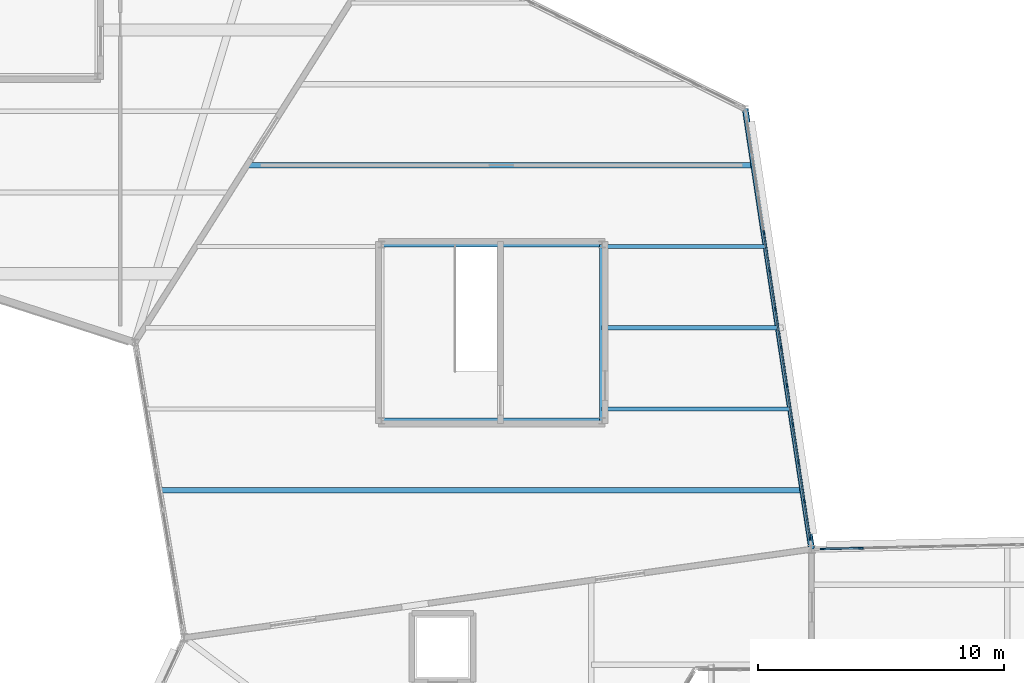
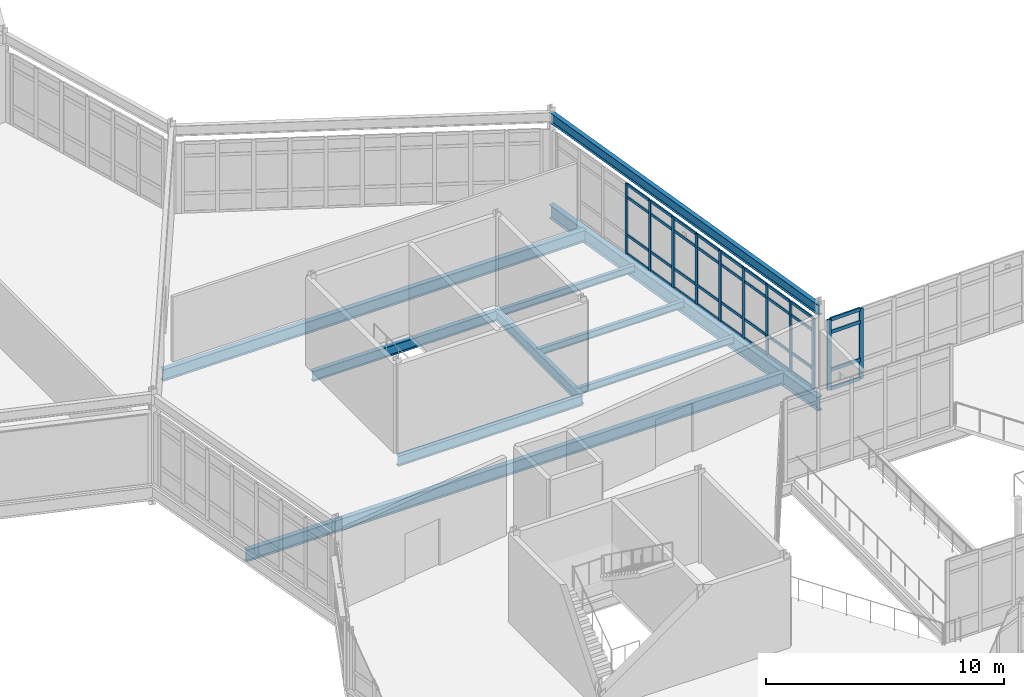
# One storey, part 26 of 76: 47 members, 10 beams, 2 elements without a shape of their own.
"""IFC4 building model written with IfcOpenShell, lengths in metres."""

from ifc_helpers import new_model, si_unit, direction, frame, origin, origin_2d, place, context, subcontext, project, spatial, rectangle, i_section, extrude, material, material_profile, profile_set, type_object, element, aggregate, save


model = new_model("IFC4")

# Units and contexts
model_context = context("Model", 3, precision=1e-05, world=origin(), true_north=direction((0.0, 1.0)))
body_context = subcontext(model_context, "Body", "Model", "MODEL_VIEW")
ifc_project = project(units=[si_unit("LENGTHUNIT", "METRE"), si_unit("AREAUNIT", "SQUARE_METRE"), si_unit("VOLUMEUNIT", "CUBIC_METRE"), si_unit("PLANEANGLEUNIT", "RADIAN"), si_unit("MASSUNIT", "GRAM", prefix="KILO")], contexts=[model_context])

# Site, building, storey
site_placement = place(None, origin())
site = spatial("IfcSite", under=ifc_project, at=site_placement, CompositionType="ELEMENT")
building_placement = place(site_placement, origin())
building = spatial("IfcBuilding", under=site, at=building_placement, Name="Tameran Prism Museum", CompositionType="ELEMENT")
storey_placement = place(building_placement, frame((0.0, 0.0, 15.0)))
storey = spatial("IfcBuildingStorey", under=building, at=storey_placement, Name="L03", CompositionType="ELEMENT", Elevation=15.0)

# Beams
ifc_material_1 = material(Name="Steel Grade 300PLUS (300 MPa)", Category="steel")
ifc_material_profile_1 = material_profile(ifc_material_1, i_section(OverallWidth=0.172119140625, OverallDepth=0.35888671875, WebThickness=0.008056640625, FlangeThickness=0.012939453125, FilletRadius=0.011474609375, at=origin_2d()))
ifc_profile_set_1 = profile_set([ifc_material_profile_1])
beam_type_1 = type_object("IfcBeamType", Name="BM-J360A", PredefinedType="JOIST", material=ifc_profile_set_1)
beam_1_placement = place(storey_placement, frame((68.97998046875, 53.89990234375, -0.37939453125), z_axis=(1.0, 0.0, 0.0), x_axis=(0.0, 1.0, 0.0)))
element("IfcBeam", 1, at=beam_1_placement, inside=storey, type_object=beam_type_1, Name="Floor Beam BM-1096", PredefinedType="JOIST", context=body_context, shape_type="SweptSolid", body=[
    extrude(i_section(OverallWidth=0.172119140625, OverallDepth=0.35888671875, WebThickness=0.008056640625, FlangeThickness=0.012939453125, FilletRadius=0.011474609375, at=origin_2d()), origin(), (0.0, 0.0, 1.0), 7.6201171875),
])
beam_2_placement = place(storey_placement, frame((68.97998046875, 60.5, -0.37939453125), z_axis=(1.0, 0.0, 0.0), x_axis=(0.0, 1.0, 0.0)))
element("IfcBeam", 2, at=beam_2_placement, inside=storey, type_object=beam_type_1, Name="Floor Beam BM-1100", PredefinedType="JOIST", context=body_context, shape_type="SweptSolid", body=[
    extrude(i_section(OverallWidth=0.172119140625, OverallDepth=0.35888671875, WebThickness=0.008056640625, FlangeThickness=0.012939453125, FilletRadius=0.011474609375, at=origin_2d()), origin(), (0.0, 0.0, 1.0), 6.6240234375),
])
ifc_material_2 = material(Name="Steel Grade 300PLUS (300 MPa)", Category="steel")
ifc_material_profile_2 = material_profile(ifc_material_2, i_section(OverallWidth=0.1708984375, OverallDepth=0.35595703125, WebThickness=0.00732421875, FlangeThickness=0.011474609375, FilletRadius=0.011474609375, at=origin_2d()))
ifc_profile_set_2 = profile_set([ifc_material_profile_2])
beam_type_2 = type_object("IfcBeamType", Name="BM-J360B", PredefinedType="JOIST", material=ifc_profile_set_2)
beam_3_placement = place(storey_placement, frame((68.97998046875, 57.199951171875, -0.3779296875), z_axis=(1.0, 0.0, 0.0), x_axis=(0.0, 1.0, 0.0)))
element("IfcBeam", 3, at=beam_3_placement, inside=storey, type_object=beam_type_2, Name="Floor Beam BM-1098", PredefinedType="JOIST", context=body_context, shape_type="SweptSolid", body=[
    extrude(i_section(OverallWidth=0.1708984375, OverallDepth=0.35595703125, WebThickness=0.00732421875, FlangeThickness=0.011474609375, FilletRadius=0.011474609375, at=origin_2d()), origin(), (0.0, 0.0, 1.0), 7.1220703125),
])
ifc_material_3 = material(Name="Steel Grade 300PLUS (300 MPa)", Category="steel")
ifc_material_profile_3 = material_profile(ifc_material_3, i_section(OverallWidth=0.208984375, OverallDepth=0.528076171875, WebThickness=0.009521484375, FlangeThickness=0.01318359375, FilletRadius=0.013916015625, at=origin_2d()))
ifc_profile_set_3 = profile_set([ifc_material_profile_3])
beam_type_3 = type_object("IfcBeamType", Name="BM-SP530B", PredefinedType="SPANDREL", material=ifc_profile_set_3)
beam_4_placement = place(storey_placement, frame((77.5, 48.199951171875, 4.256103515625), z_axis=(-0.149146954301, 0.988815041361, 0.0), x_axis=(-0.988815041361, -0.149146954301, 0.0)))
element("IfcBeam", 4, at=beam_4_placement, inside=storey, type_object=beam_type_3, Name="Roof Ring Beam RB-0971", PredefinedType="SPANDREL", context=body_context, shape_type="SweptSolid", body=[
    extrude(i_section(OverallWidth=0.208984375, OverallDepth=0.528076171875, WebThickness=0.009521484375, FlangeThickness=0.01318359375, FilletRadius=0.013916015625, at=origin_2d()), origin(), (0.0, 0.0, 1.0), 18.1025390625),
])
beam_5_placement = place(storey_placement, frame((60.02001953125, 53.419921875, -0.50390625), z_axis=(1.0, 0.0, 0.0), x_axis=(0.0, 1.0, 0.0)))
element("IfcBeam", 5, at=beam_5_placement, inside=storey, type_object=beam_type_3, Name="Core Ring Beam CTB-1030", PredefinedType="SPANDREL", context=body_context, shape_type="SweptSolid", body=[
    extrude(i_section(OverallWidth=0.208984375, OverallDepth=0.528076171875, WebThickness=0.009521484375, FlangeThickness=0.01318359375, FilletRadius=0.013916015625, at=origin_2d()), origin(), (0.0, 0.0, 1.0), 8.9599609375),
])
beam_6_placement = place(storey_placement, frame((68.97998046875, 53.419921875, -0.50390625), z_axis=(0.0, 1.0, 0.0), x_axis=(-1.0, 0.0, 0.0)))
element("IfcBeam", 6, at=beam_6_placement, inside=storey, type_object=beam_type_3, Name="Core Ring Beam CTB-1031", PredefinedType="SPANDREL", context=body_context, shape_type="SweptSolid", body=[
    extrude(i_section(OverallWidth=0.208984375, OverallDepth=0.528076171875, WebThickness=0.009521484375, FlangeThickness=0.01318359375, FilletRadius=0.013916015625, at=origin_2d()), origin(), (0.0, 0.0, 1.0), 7.16015625),
])
beam_7_placement = place(storey_placement, frame((68.97998046875, 60.580078125, -0.50390625), z_axis=(-1.0, 0.0, 0.0), x_axis=(0.0, -1.0, 0.0)))
element("IfcBeam", 7, at=beam_7_placement, inside=storey, type_object=beam_type_3, Name="Core Ring Beam CTB-1032", PredefinedType="SPANDREL", context=body_context, shape_type="SweptSolid", body=[
    extrude(i_section(OverallWidth=0.208984375, OverallDepth=0.528076171875, WebThickness=0.009521484375, FlangeThickness=0.01318359375, FilletRadius=0.013916015625, at=origin_2d()), origin(), (0.0, 0.0, 1.0), 8.9599609375),
])
ifc_material_4 = material(Name="Steel Grade 350 (350 MPa)", Category="steel")
ifc_material_profile_4 = material_profile(ifc_material_4, i_section(OverallWidth=0.25, OverallDepth=0.699951171875, WebThickness=0.010009765625, FlangeThickness=0.02001953125, at=origin_2d()))
ifc_profile_set_4 = profile_set([ifc_material_profile_4])
beam_type_4 = type_object("IfcBeamType", Name="BM-SP700", PredefinedType="SPANDREL", material=ifc_profile_set_4)
beam_8_placement = place(storey_placement, frame((77.5, 48.199951171875, -0.550048828125), z_axis=(-0.149146954301, 0.988815041361, 0.0), x_axis=(-0.988815041361, -0.149146954301, 0.0)))
element("IfcBeam", 8, at=beam_8_placement, inside=storey, type_object=beam_type_4, Name="Perimeter Spandrel SP-0967", PredefinedType="SPANDREL", context=body_context, shape_type="SweptSolid", body=[
    extrude(i_section(OverallWidth=0.25, OverallDepth=0.699951171875, WebThickness=0.010009765625, FlangeThickness=0.02001953125, at=origin_2d()), origin(), (0.0, 0.0, 1.0), 18.1025390625),
])
ifc_material_5 = material(Name="Steel Grade 300PLUS (300 MPa)", Category="steel")
ifc_material_profile_5 = material_profile(ifc_material_5, i_section(OverallWidth=0.22802734375, OverallDepth=0.60693359375, WebThickness=0.01123046875, FlangeThickness=0.017333984375, FilletRadius=0.013916015625, at=origin_2d()))
ifc_profile_set_5 = profile_set([ifc_material_profile_5])
beam_type_5 = type_object("IfcBeamType", Name="BM-UB610B", PredefinedType="BEAM", material=ifc_profile_set_5)
beam_9_placement = place(storey_placement, frame((51.041015625, 50.60009765625, -0.50341796875), z_axis=(1.0, 0.0, 0.0), x_axis=(0.0, 1.0, 0.0)))
element("IfcBeam", 9, at=beam_9_placement, inside=storey, type_object=beam_type_5, Name="Floor Beam BM-1094", PredefinedType="BEAM", context=body_context, shape_type="SweptSolid", body=[
    extrude(i_section(OverallWidth=0.22802734375, OverallDepth=0.60693359375, WebThickness=0.01123046875, FlangeThickness=0.017333984375, FilletRadius=0.013916015625, at=origin_2d()), origin(), (0.0, 0.0, 1.0), 26.056884765625),
])
beam_10_placement = place(storey_placement, frame((54.60205078125, 63.800048828125, -0.50341796875), z_axis=(1.0, 0.0, 0.0), x_axis=(0.0, 1.0, 0.0)))
element("IfcBeam", 10, at=beam_10_placement, inside=storey, type_object=beam_type_5, Name="Floor Beam BM-1101", PredefinedType="BEAM", context=body_context, shape_type="SweptSolid", body=[
    extrude(i_section(OverallWidth=0.22802734375, OverallDepth=0.60693359375, WebThickness=0.01123046875, FlangeThickness=0.017333984375, FilletRadius=0.013916015625, at=origin_2d()), origin(), (0.0, 0.0, 1.0), 20.50390625),
])

# Curtain wall, members
ifc_material_6 = material(Name="Anodised Aluminium 6063-T6 and Cyclone Solar Glass", Category="aluminium")
curtain_wall_type_1 = type_object("IfcCurtainWallType", Name="CW-FAC-1734x362", PredefinedType="USERDEFINED", material=ifc_material_6)
curtain_wall_1_placement = place(storey_placement, origin())
curtain_wall_1 = element("IfcCurtainWall", 11, at=curtain_wall_1_placement, inside=storey, type_object=curtain_wall_type_1, Name="Unitised Curtain Wall CW-143", ObjectType="UNITISED CURTAIN WALL", PredefinedType="USERDEFINED")
ifc_material_7 = material(Name="Anodised Aluminium Alloy 6063-T6", Category="aluminium")
ifc_material_profile_6 = material_profile(ifc_material_7, rectangle(XDim=0.06494140625, YDim=0.159912109375, at=origin_2d()))
ifc_profile_set_6 = profile_set([ifc_material_profile_6])
member_type_1 = type_object("IfcMemberType", Name="CW-MUL-A", PredefinedType="MULLION", material=ifc_profile_set_6)
member_1_placement = place(storey_placement, frame((75.5576171875, 61.076904296875, 0.0), z_axis=(0.0, 0.0, 1.0), x_axis=(0.988812088052, 0.149166532852, 0.0)))
member_1 = element("IfcMember", 12, at=member_1_placement, type_object=member_type_1, Name="CW-143 mullion 4", PredefinedType="MULLION", context=body_context, shape_type="SweptSolid", body=[
    extrude(rectangle(XDim=0.06494140625, YDim=0.159912109375, at=origin_2d()), origin(), (0.0, 0.0, 1.0), 3.6201171875),
])
member_2_placement = place(storey_placement, frame((75.792724609375, 59.51806640625, 0.0), z_axis=(0.0, 0.0, 1.0), x_axis=(0.988812088052, 0.149166532852, 0.0)))
member_2 = element("IfcMember", 13, at=member_2_placement, type_object=member_type_1, Name="CW-143 mullion 5", PredefinedType="MULLION", context=body_context, shape_type="SweptSolid", body=[
    extrude(rectangle(XDim=0.06494140625, YDim=0.159912109375, at=origin_2d()), origin(), (0.0, 0.0, 1.0), 3.6201171875),
])
member_3_placement = place(storey_placement, frame((76.02783203125, 57.958984375, 0.0), z_axis=(0.0, 0.0, 1.0), x_axis=(0.988812088052, 0.149166532852, 0.0)))
member_3 = element("IfcMember", 14, at=member_3_placement, type_object=member_type_1, Name="CW-143 mullion 6", PredefinedType="MULLION", context=body_context, shape_type="SweptSolid", body=[
    extrude(rectangle(XDim=0.06494140625, YDim=0.159912109375, at=origin_2d()), origin(), (0.0, 0.0, 1.0), 3.6201171875),
])
member_4_placement = place(storey_placement, frame((76.26318359375, 56.39990234375, 0.0), z_axis=(0.0, 0.0, 1.0), x_axis=(0.988812088052, 0.149166532852, 0.0)))
member_4 = element("IfcMember", 15, at=member_4_placement, type_object=member_type_1, Name="CW-143 mullion 7", PredefinedType="MULLION", context=body_context, shape_type="SweptSolid", body=[
    extrude(rectangle(XDim=0.06494140625, YDim=0.159912109375, at=origin_2d()), origin(), (0.0, 0.0, 1.0), 3.6201171875),
])
member_5_placement = place(storey_placement, frame((76.498291015625, 54.841064453125, 0.0), z_axis=(0.0, 0.0, 1.0), x_axis=(0.988812088052, 0.149166532852, 0.0)))
member_5 = element("IfcMember", 16, at=member_5_placement, type_object=member_type_1, Name="CW-143 mullion 8", PredefinedType="MULLION", context=body_context, shape_type="SweptSolid", body=[
    extrude(rectangle(XDim=0.06494140625, YDim=0.159912109375, at=origin_2d()), origin(), (0.0, 0.0, 1.0), 3.6201171875),
])
member_6_placement = place(storey_placement, frame((76.7333984375, 53.281982421875, 0.0), z_axis=(0.0, 0.0, 1.0), x_axis=(0.988812088052, 0.149166532852, 0.0)))
member_6 = element("IfcMember", 17, at=member_6_placement, type_object=member_type_1, Name="CW-143 mullion 9", PredefinedType="MULLION", context=body_context, shape_type="SweptSolid", body=[
    extrude(rectangle(XDim=0.06494140625, YDim=0.159912109375, at=origin_2d()), origin(), (0.0, 0.0, 1.0), 3.6201171875),
])
member_7_placement = place(storey_placement, frame((76.96875, 51.722900390625, 0.0), z_axis=(0.0, 0.0, 1.0), x_axis=(0.988812088052, 0.149166532852, 0.0)))
member_7 = element("IfcMember", 18, at=member_7_placement, type_object=member_type_1, Name="CW-143 mullion 10", PredefinedType="MULLION", context=body_context, shape_type="SweptSolid", body=[
    extrude(rectangle(XDim=0.06494140625, YDim=0.159912109375, at=origin_2d()), origin(), (0.0, 0.0, 1.0), 3.6201171875),
])
member_8_placement = place(storey_placement, frame((77.203857421875, 50.1640625, 0.0), z_axis=(0.0, 0.0, 1.0), x_axis=(0.988812088052, 0.149166532852, 0.0)))
member_8 = element("IfcMember", 19, at=member_8_placement, type_object=member_type_1, Name="CW-143 mullion 11", PredefinedType="MULLION", context=body_context, shape_type="SweptSolid", body=[
    extrude(rectangle(XDim=0.06494140625, YDim=0.159912109375, at=origin_2d()), origin(), (0.0, 0.0, 1.0), 3.6201171875),
])
member_9_placement = place(storey_placement, frame((77.43408203125, 48.63720703125, 0.0), z_axis=(0.0, 0.0, 1.0), x_axis=(0.988812088052, 0.149166532852, 0.0)))
member_9 = element("IfcMember", 20, at=member_9_placement, type_object=member_type_1, Name="CW-143 mullion 12", PredefinedType="MULLION", context=body_context, shape_type="SweptSolid", body=[
    extrude(rectangle(XDim=0.06494140625, YDim=0.159912109375, at=origin_2d()), origin(), (0.0, 0.0, 1.0), 3.6201171875),
])

ifc_material_8 = material(Name="Anodised Aluminium 6063-T6 and Cyclone Solar Glass", Category="aluminium")
curtain_wall_type_2 = type_object("IfcCurtainWallType", Name="CW-FAC-1754x362", PredefinedType="USERDEFINED", material=ifc_material_8)
curtain_wall_2_placement = place(storey_placement, origin())
curtain_wall_2 = element("IfcCurtainWall", 21, at=curtain_wall_2_placement, inside=storey, type_object=curtain_wall_type_2, Name="Unitised Curtain Wall CW-141", ObjectType="UNITISED CURTAIN WALL", PredefinedType="USERDEFINED")
ifc_material_9 = material(Name="Anodised Aluminium Alloy 6063-T6", Category="aluminium")
ifc_material_profile_7 = material_profile(ifc_material_9, rectangle(XDim=0.074951171875, YDim=0.199951171875, at=origin_2d()))
ifc_profile_set_7 = profile_set([ifc_material_profile_7])
member_type_2 = type_object("IfcMemberType", Name="CW-MUL-C", PredefinedType="MULLION", material=ifc_profile_set_7)
member_10_placement = place(storey_placement, frame((77.947509765625, 48.209716796875, 0.0), z_axis=(0.0, 0.0, 1.0), x_axis=(-0.021830600058, 0.999761684053, 0.0)))
member_10 = element("IfcMember", 22, at=member_10_placement, type_object=member_type_2, Name="CW-141 mullion 1", PredefinedType="MULLION", context=body_context, shape_type="SweptSolid", body=[
    extrude(rectangle(XDim=0.074951171875, YDim=0.199951171875, at=origin_2d()), origin(), (0.0, 0.0, 1.0), 3.6201171875),
])
member_11_placement = place(storey_placement, frame((79.504638671875, 48.243896484375, 0.0), z_axis=(0.0, 0.0, 1.0), x_axis=(-0.021830600058, 0.999761684053, 0.0)))
member_11 = element("IfcMember", 23, at=member_11_placement, type_object=member_type_2, Name="CW-141 mullion 2", PredefinedType="MULLION", context=body_context, shape_type="SweptSolid", body=[
    extrude(rectangle(XDim=0.074951171875, YDim=0.199951171875, at=origin_2d()), origin(), (0.0, 0.0, 1.0), 3.6201171875),
])

# Member
ifc_material_10 = material(Name="Anodised Aluminium Alloy 6063-T6", Category="aluminium")
ifc_material_profile_8 = material_profile(ifc_material_10, rectangle(XDim=0.06494140625, YDim=0.139892578125, at=origin_2d()))
ifc_profile_set_8 = profile_set([ifc_material_profile_8])
member_type_3 = type_object("IfcMemberType", Name="CW-TRN-A", PredefinedType="USERDEFINED", material=ifc_profile_set_8)
member_12_placement = place(storey_placement, frame((75.5625, 61.044921875, 0.032470703125), z_axis=(0.149059042711, -0.988828297424, 0.0), x_axis=(0.988828297424, 0.149059042711, 0.0)))
member_12 = element("IfcMember", 24, at=member_12_placement, type_object=member_type_3, Name="CW-143 transom 4.1", ObjectType="TRANSOM", PredefinedType="USERDEFINED", context=body_context, shape_type="SweptSolid", body=[
    extrude(rectangle(XDim=0.06494140625, YDim=0.139892578125, at=origin_2d()), origin(), (0.0, 0.0, 1.0), 1.51171875),
])

member_13_placement = place(storey_placement, frame((75.5625, 61.044921875, 1.0), z_axis=(0.149059042711, -0.988828297424, 0.0), x_axis=(0.988828297424, 0.149059042711, 0.0)))
member_13 = element("IfcMember", 25, at=member_13_placement, type_object=member_type_3, Name="CW-143 transom 4.2", ObjectType="TRANSOM", PredefinedType="USERDEFINED", context=body_context, shape_type="SweptSolid", body=[
    extrude(rectangle(XDim=0.06494140625, YDim=0.139892578125, at=origin_2d()), origin(), (0.0, 0.0, 1.0), 1.51171875),
])

member_14_placement = place(storey_placement, frame((75.5625, 61.044921875, 2.93994140625), z_axis=(0.149059042711, -0.988828297424, 0.0), x_axis=(0.988828297424, 0.149059042711, 0.0)))
member_14 = element("IfcMember", 26, at=member_14_placement, type_object=member_type_3, Name="CW-143 transom 4.3", ObjectType="TRANSOM", PredefinedType="USERDEFINED", context=body_context, shape_type="SweptSolid", body=[
    extrude(rectangle(XDim=0.06494140625, YDim=0.139892578125, at=origin_2d()), origin(), (0.0, 0.0, 1.0), 1.51171875),
])

member_15_placement = place(storey_placement, frame((75.5625, 61.044921875, 3.58740234375), z_axis=(0.149059042711, -0.988828297424, 0.0), x_axis=(0.988828297424, 0.149059042711, 0.0)))
member_15 = element("IfcMember", 27, at=member_15_placement, type_object=member_type_3, Name="CW-143 transom 4.4", ObjectType="TRANSOM", PredefinedType="USERDEFINED", context=body_context, shape_type="SweptSolid", body=[
    extrude(rectangle(XDim=0.06494140625, YDim=0.139892578125, at=origin_2d()), origin(), (0.0, 0.0, 1.0), 1.51171875),
])

member_16_placement = place(storey_placement, frame((75.797607421875, 59.48583984375, 0.032470703125), z_axis=(0.149082849697, -0.988824708392, 0.0), x_axis=(0.988824708392, 0.149082849697, 0.0)))
member_16 = element("IfcMember", 28, at=member_16_placement, type_object=member_type_3, Name="CW-143 transom 5.1", ObjectType="TRANSOM", PredefinedType="USERDEFINED", context=body_context, shape_type="SweptSolid", body=[
    extrude(rectangle(XDim=0.06494140625, YDim=0.139892578125, at=origin_2d()), origin(), (0.0, 0.0, 1.0), 1.511474609375),
])

member_17_placement = place(storey_placement, frame((75.797607421875, 59.48583984375, 1.0), z_axis=(0.149082849697, -0.988824708392, 0.0), x_axis=(0.988824708392, 0.149082849697, 0.0)))
member_17 = element("IfcMember", 29, at=member_17_placement, type_object=member_type_3, Name="CW-143 transom 5.2", ObjectType="TRANSOM", PredefinedType="USERDEFINED", context=body_context, shape_type="SweptSolid", body=[
    extrude(rectangle(XDim=0.06494140625, YDim=0.139892578125, at=origin_2d()), origin(), (0.0, 0.0, 1.0), 1.511474609375),
])

member_18_placement = place(storey_placement, frame((75.797607421875, 59.48583984375, 2.93994140625), z_axis=(0.149082849697, -0.988824708392, 0.0), x_axis=(0.988824708392, 0.149082849697, 0.0)))
member_18 = element("IfcMember", 30, at=member_18_placement, type_object=member_type_3, Name="CW-143 transom 5.3", ObjectType="TRANSOM", PredefinedType="USERDEFINED", context=body_context, shape_type="SweptSolid", body=[
    extrude(rectangle(XDim=0.06494140625, YDim=0.139892578125, at=origin_2d()), origin(), (0.0, 0.0, 1.0), 1.511474609375),
])

member_19_placement = place(storey_placement, frame((75.797607421875, 59.48583984375, 3.58740234375), z_axis=(0.149082849697, -0.988824708392, 0.0), x_axis=(0.988824708392, 0.149082849697, 0.0)))
member_19 = element("IfcMember", 31, at=member_19_placement, type_object=member_type_3, Name="CW-143 transom 5.4", ObjectType="TRANSOM", PredefinedType="USERDEFINED", context=body_context, shape_type="SweptSolid", body=[
    extrude(rectangle(XDim=0.06494140625, YDim=0.139892578125, at=origin_2d()), origin(), (0.0, 0.0, 1.0), 1.511474609375),
])

member_20_placement = place(storey_placement, frame((76.03271484375, 57.9267578125, 0.032470703125), z_axis=(0.14924077398, -0.988800885609, 0.0), x_axis=(0.988800885609, 0.14924077398, 0.0)))
member_20 = element("IfcMember", 32, at=member_20_placement, type_object=member_type_3, Name="CW-143 transom 6.1", ObjectType="TRANSOM", PredefinedType="USERDEFINED", context=body_context, shape_type="SweptSolid", body=[
    extrude(rectangle(XDim=0.06494140625, YDim=0.139892578125, at=origin_2d()), origin(), (0.0, 0.0, 1.0), 1.511474609375),
])

member_21_placement = place(storey_placement, frame((76.03271484375, 57.9267578125, 1.0), z_axis=(0.14924077398, -0.988800885609, 0.0), x_axis=(0.988800885609, 0.14924077398, 0.0)))
member_21 = element("IfcMember", 33, at=member_21_placement, type_object=member_type_3, Name="CW-143 transom 6.2", ObjectType="TRANSOM", PredefinedType="USERDEFINED", context=body_context, shape_type="SweptSolid", body=[
    extrude(rectangle(XDim=0.06494140625, YDim=0.139892578125, at=origin_2d()), origin(), (0.0, 0.0, 1.0), 1.511474609375),
])

member_22_placement = place(storey_placement, frame((76.03271484375, 57.9267578125, 2.93994140625), z_axis=(0.14924077398, -0.988800885609, 0.0), x_axis=(0.988800885609, 0.14924077398, 0.0)))
member_22 = element("IfcMember", 34, at=member_22_placement, type_object=member_type_3, Name="CW-143 transom 6.3", ObjectType="TRANSOM", PredefinedType="USERDEFINED", context=body_context, shape_type="SweptSolid", body=[
    extrude(rectangle(XDim=0.06494140625, YDim=0.139892578125, at=origin_2d()), origin(), (0.0, 0.0, 1.0), 1.511474609375),
])

member_23_placement = place(storey_placement, frame((76.03271484375, 57.9267578125, 3.58740234375), z_axis=(0.14924077398, -0.988800885609, 0.0), x_axis=(0.988800885609, 0.14924077398, 0.0)))
member_23 = element("IfcMember", 35, at=member_23_placement, type_object=member_type_3, Name="CW-143 transom 6.4", ObjectType="TRANSOM", PredefinedType="USERDEFINED", context=body_context, shape_type="SweptSolid", body=[
    extrude(rectangle(XDim=0.06494140625, YDim=0.139892578125, at=origin_2d()), origin(), (0.0, 0.0, 1.0), 1.511474609375),
])

member_24_placement = place(storey_placement, frame((76.267822265625, 56.367919921875, 0.032470703125), z_axis=(0.149216942923, -0.988804482163, 0.0), x_axis=(0.988804482163, 0.149216942923, 0.0)))
member_24 = element("IfcMember", 36, at=member_24_placement, type_object=member_type_3, Name="CW-143 transom 7.1", ObjectType="TRANSOM", PredefinedType="USERDEFINED", context=body_context, shape_type="SweptSolid", body=[
    extrude(rectangle(XDim=0.06494140625, YDim=0.139892578125, at=origin_2d()), origin(), (0.0, 0.0, 1.0), 1.51171875),
])

member_25_placement = place(storey_placement, frame((76.267822265625, 56.367919921875, 1.0), z_axis=(0.149216942923, -0.988804482163, 0.0), x_axis=(0.988804482163, 0.149216942923, 0.0)))
member_25 = element("IfcMember", 37, at=member_25_placement, type_object=member_type_3, Name="CW-143 transom 7.2", ObjectType="TRANSOM", PredefinedType="USERDEFINED", context=body_context, shape_type="SweptSolid", body=[
    extrude(rectangle(XDim=0.06494140625, YDim=0.139892578125, at=origin_2d()), origin(), (0.0, 0.0, 1.0), 1.51171875),
])

member_26_placement = place(storey_placement, frame((76.267822265625, 56.367919921875, 2.93994140625), z_axis=(0.149216942923, -0.988804482163, 0.0), x_axis=(0.988804482163, 0.149216942923, 0.0)))
member_26 = element("IfcMember", 38, at=member_26_placement, type_object=member_type_3, Name="CW-143 transom 7.3", ObjectType="TRANSOM", PredefinedType="USERDEFINED", context=body_context, shape_type="SweptSolid", body=[
    extrude(rectangle(XDim=0.06494140625, YDim=0.139892578125, at=origin_2d()), origin(), (0.0, 0.0, 1.0), 1.51171875),
])

member_27_placement = place(storey_placement, frame((76.267822265625, 56.367919921875, 3.58740234375), z_axis=(0.149216942923, -0.988804482163, 0.0), x_axis=(0.988804482163, 0.149216942923, 0.0)))
member_27 = element("IfcMember", 39, at=member_27_placement, type_object=member_type_3, Name="CW-143 transom 7.4", ObjectType="TRANSOM", PredefinedType="USERDEFINED", context=body_context, shape_type="SweptSolid", body=[
    extrude(rectangle(XDim=0.06494140625, YDim=0.139892578125, at=origin_2d()), origin(), (0.0, 0.0, 1.0), 1.51171875),
])

member_28_placement = place(storey_placement, frame((76.503173828125, 54.808837890625, 0.032470703125), z_axis=(0.149082849697, -0.988824708392, 0.0), x_axis=(0.988824708392, 0.149082849697, 0.0)))
member_28 = element("IfcMember", 40, at=member_28_placement, type_object=member_type_3, Name="CW-143 transom 8.1", ObjectType="TRANSOM", PredefinedType="USERDEFINED", context=body_context, shape_type="SweptSolid", body=[
    extrude(rectangle(XDim=0.06494140625, YDim=0.139892578125, at=origin_2d()), origin(), (0.0, 0.0, 1.0), 1.511474609375),
])

member_29_placement = place(storey_placement, frame((76.503173828125, 54.808837890625, 1.0), z_axis=(0.149082849697, -0.988824708392, 0.0), x_axis=(0.988824708392, 0.149082849697, 0.0)))
member_29 = element("IfcMember", 41, at=member_29_placement, type_object=member_type_3, Name="CW-143 transom 8.2", ObjectType="TRANSOM", PredefinedType="USERDEFINED", context=body_context, shape_type="SweptSolid", body=[
    extrude(rectangle(XDim=0.06494140625, YDim=0.139892578125, at=origin_2d()), origin(), (0.0, 0.0, 1.0), 1.511474609375),
])

member_30_placement = place(storey_placement, frame((76.503173828125, 54.808837890625, 2.93994140625), z_axis=(0.149082849697, -0.988824708392, 0.0), x_axis=(0.988824708392, 0.149082849697, 0.0)))
member_30 = element("IfcMember", 42, at=member_30_placement, type_object=member_type_3, Name="CW-143 transom 8.3", ObjectType="TRANSOM", PredefinedType="USERDEFINED", context=body_context, shape_type="SweptSolid", body=[
    extrude(rectangle(XDim=0.06494140625, YDim=0.139892578125, at=origin_2d()), origin(), (0.0, 0.0, 1.0), 1.511474609375),
])

member_31_placement = place(storey_placement, frame((76.503173828125, 54.808837890625, 3.58740234375), z_axis=(0.149082849697, -0.988824708392, 0.0), x_axis=(0.988824708392, 0.149082849697, 0.0)))
member_31 = element("IfcMember", 43, at=member_31_placement, type_object=member_type_3, Name="CW-143 transom 8.4", ObjectType="TRANSOM", PredefinedType="USERDEFINED", context=body_context, shape_type="SweptSolid", body=[
    extrude(rectangle(XDim=0.06494140625, YDim=0.139892578125, at=origin_2d()), origin(), (0.0, 0.0, 1.0), 1.511474609375),
])

member_32_placement = place(storey_placement, frame((76.73828125, 53.249755859375, 0.032470703125), z_axis=(0.14924077398, -0.988800885609, 0.0), x_axis=(0.988800885609, 0.14924077398, 0.0)))
member_32 = element("IfcMember", 44, at=member_32_placement, type_object=member_type_3, Name="CW-143 transom 9.1", ObjectType="TRANSOM", PredefinedType="USERDEFINED", context=body_context, shape_type="SweptSolid", body=[
    extrude(rectangle(XDim=0.06494140625, YDim=0.139892578125, at=origin_2d()), origin(), (0.0, 0.0, 1.0), 1.511474609375),
])

member_33_placement = place(storey_placement, frame((76.73828125, 53.249755859375, 1.0), z_axis=(0.14924077398, -0.988800885609, 0.0), x_axis=(0.988800885609, 0.14924077398, 0.0)))
member_33 = element("IfcMember", 45, at=member_33_placement, type_object=member_type_3, Name="CW-143 transom 9.2", ObjectType="TRANSOM", PredefinedType="USERDEFINED", context=body_context, shape_type="SweptSolid", body=[
    extrude(rectangle(XDim=0.06494140625, YDim=0.139892578125, at=origin_2d()), origin(), (0.0, 0.0, 1.0), 1.511474609375),
])

member_34_placement = place(storey_placement, frame((76.73828125, 53.249755859375, 2.93994140625), z_axis=(0.14924077398, -0.988800885609, 0.0), x_axis=(0.988800885609, 0.14924077398, 0.0)))
member_34 = element("IfcMember", 46, at=member_34_placement, type_object=member_type_3, Name="CW-143 transom 9.3", ObjectType="TRANSOM", PredefinedType="USERDEFINED", context=body_context, shape_type="SweptSolid", body=[
    extrude(rectangle(XDim=0.06494140625, YDim=0.139892578125, at=origin_2d()), origin(), (0.0, 0.0, 1.0), 1.511474609375),
])

member_35_placement = place(storey_placement, frame((76.73828125, 53.249755859375, 3.58740234375), z_axis=(0.14924077398, -0.988800885609, 0.0), x_axis=(0.988800885609, 0.14924077398, 0.0)))
member_35 = element("IfcMember", 47, at=member_35_placement, type_object=member_type_3, Name="CW-143 transom 9.4", ObjectType="TRANSOM", PredefinedType="USERDEFINED", context=body_context, shape_type="SweptSolid", body=[
    extrude(rectangle(XDim=0.06494140625, YDim=0.139892578125, at=origin_2d()), origin(), (0.0, 0.0, 1.0), 1.511474609375),
])

member_36_placement = place(storey_placement, frame((76.973388671875, 51.69091796875, 0.032470703125), z_axis=(0.149216942923, -0.988804482163, 0.0), x_axis=(0.988804482163, 0.149216942923, 0.0)))
member_36 = element("IfcMember", 48, at=member_36_placement, type_object=member_type_3, Name="CW-143 transom 10.1", ObjectType="TRANSOM", PredefinedType="USERDEFINED", context=body_context, shape_type="SweptSolid", body=[
    extrude(rectangle(XDim=0.06494140625, YDim=0.139892578125, at=origin_2d()), origin(), (0.0, 0.0, 1.0), 1.51171875),
])

member_37_placement = place(storey_placement, frame((76.973388671875, 51.69091796875, 1.0), z_axis=(0.149216942923, -0.988804482163, 0.0), x_axis=(0.988804482163, 0.149216942923, 0.0)))
member_37 = element("IfcMember", 49, at=member_37_placement, type_object=member_type_3, Name="CW-143 transom 10.2", ObjectType="TRANSOM", PredefinedType="USERDEFINED", context=body_context, shape_type="SweptSolid", body=[
    extrude(rectangle(XDim=0.06494140625, YDim=0.139892578125, at=origin_2d()), origin(), (0.0, 0.0, 1.0), 1.51171875),
])

member_38_placement = place(storey_placement, frame((76.973388671875, 51.69091796875, 2.93994140625), z_axis=(0.149216942923, -0.988804482163, 0.0), x_axis=(0.988804482163, 0.149216942923, 0.0)))
member_38 = element("IfcMember", 50, at=member_38_placement, type_object=member_type_3, Name="CW-143 transom 10.3", ObjectType="TRANSOM", PredefinedType="USERDEFINED", context=body_context, shape_type="SweptSolid", body=[
    extrude(rectangle(XDim=0.06494140625, YDim=0.139892578125, at=origin_2d()), origin(), (0.0, 0.0, 1.0), 1.51171875),
])

member_39_placement = place(storey_placement, frame((76.973388671875, 51.69091796875, 3.58740234375), z_axis=(0.149216942923, -0.988804482163, 0.0), x_axis=(0.988804482163, 0.149216942923, 0.0)))
member_39 = element("IfcMember", 51, at=member_39_placement, type_object=member_type_3, Name="CW-143 transom 10.4", ObjectType="TRANSOM", PredefinedType="USERDEFINED", context=body_context, shape_type="SweptSolid", body=[
    extrude(rectangle(XDim=0.06494140625, YDim=0.139892578125, at=origin_2d()), origin(), (0.0, 0.0, 1.0), 1.51171875),
])

member_40_placement = place(storey_placement, frame((77.208740234375, 50.1318359375, 0.032470703125), z_axis=(0.149042595764, -0.988830776548, 0.0), x_axis=(0.988830776548, 0.149042595764, 0.0)))
member_40 = element("IfcMember", 52, at=member_40_placement, type_object=member_type_3, Name="CW-143 transom 11.1", ObjectType="TRANSOM", PredefinedType="USERDEFINED", context=body_context, shape_type="SweptSolid", body=[
    extrude(rectangle(XDim=0.06494140625, YDim=0.139892578125, at=origin_2d()), origin(), (0.0, 0.0, 1.0), 1.479248046875),
])

member_41_placement = place(storey_placement, frame((77.208740234375, 50.1318359375, 1.0), z_axis=(0.149042595764, -0.988830776548, 0.0), x_axis=(0.988830776548, 0.149042595764, 0.0)))
member_41 = element("IfcMember", 53, at=member_41_placement, type_object=member_type_3, Name="CW-143 transom 11.2", ObjectType="TRANSOM", PredefinedType="USERDEFINED", context=body_context, shape_type="SweptSolid", body=[
    extrude(rectangle(XDim=0.06494140625, YDim=0.139892578125, at=origin_2d()), origin(), (0.0, 0.0, 1.0), 1.479248046875),
])

member_42_placement = place(storey_placement, frame((77.208740234375, 50.1318359375, 2.93994140625), z_axis=(0.149042595764, -0.988830776548, 0.0), x_axis=(0.988830776548, 0.149042595764, 0.0)))
member_42 = element("IfcMember", 54, at=member_42_placement, type_object=member_type_3, Name="CW-143 transom 11.3", ObjectType="TRANSOM", PredefinedType="USERDEFINED", context=body_context, shape_type="SweptSolid", body=[
    extrude(rectangle(XDim=0.06494140625, YDim=0.139892578125, at=origin_2d()), origin(), (0.0, 0.0, 1.0), 1.479248046875),
])

member_43_placement = place(storey_placement, frame((77.208740234375, 50.1318359375, 3.58740234375), z_axis=(0.149042595764, -0.988830776548, 0.0), x_axis=(0.988830776548, 0.149042595764, 0.0)))
member_43 = element("IfcMember", 55, at=member_43_placement, type_object=member_type_3, Name="CW-143 transom 11.4", ObjectType="TRANSOM", PredefinedType="USERDEFINED", context=body_context, shape_type="SweptSolid", body=[
    extrude(rectangle(XDim=0.06494140625, YDim=0.139892578125, at=origin_2d()), origin(), (0.0, 0.0, 1.0), 1.479248046875),
])

aggregate(curtain_wall_1, [member_1, member_2, member_3, member_4, member_5, member_6, member_7, member_8, member_9, member_12, member_13, member_14, member_15, member_16, member_17, member_18, member_19, member_20, member_21, member_22, member_23, member_24, member_25, member_26, member_27, member_28, member_29, member_30, member_31, member_32, member_33, member_34, member_35, member_36, member_37, member_38, member_39, member_40, member_41, member_42, member_43])

ifc_material_11 = material(Name="Anodised Aluminium Alloy 6063-T6", Category="aluminium")
ifc_material_profile_9 = material_profile(ifc_material_11, rectangle(XDim=0.074951171875, YDim=0.175048828125, at=origin_2d()))
ifc_profile_set_9 = profile_set([ifc_material_profile_9])
member_type_4 = type_object("IfcMemberType", Name="CW-TRN-C", PredefinedType="USERDEFINED", material=ifc_profile_set_9)
member_44_placement = place(storey_placement, frame((77.98486328125, 48.210693359375, 0.03759765625), z_axis=(0.999763711029, 0.021737573687, 0.0), x_axis=(-0.021737573687, 0.999763711029, 0.0)))
member_44 = element("IfcMember", 56, at=member_44_placement, type_object=member_type_4, Name="CW-141 transom 1.1", ObjectType="TRANSOM", PredefinedType="USERDEFINED", context=body_context, shape_type="SweptSolid", body=[
    extrude(rectangle(XDim=0.074951171875, YDim=0.175048828125, at=origin_2d()), origin(), (0.0, 0.0, 1.0), 1.482421875),
])

member_45_placement = place(storey_placement, frame((77.98486328125, 48.210693359375, 1.0), z_axis=(0.999763711029, 0.021737573687, 0.0), x_axis=(-0.021737573687, 0.999763711029, 0.0)))
member_45 = element("IfcMember", 57, at=member_45_placement, type_object=member_type_4, Name="CW-141 transom 1.2", ObjectType="TRANSOM", PredefinedType="USERDEFINED", context=body_context, shape_type="SweptSolid", body=[
    extrude(rectangle(XDim=0.074951171875, YDim=0.175048828125, at=origin_2d()), origin(), (0.0, 0.0, 1.0), 1.482421875),
])

member_46_placement = place(storey_placement, frame((77.98486328125, 48.210693359375, 2.93994140625), z_axis=(0.999763711029, 0.021737573687, 0.0), x_axis=(-0.021737573687, 0.999763711029, 0.0)))
member_46 = element("IfcMember", 58, at=member_46_placement, type_object=member_type_4, Name="CW-141 transom 1.3", ObjectType="TRANSOM", PredefinedType="USERDEFINED", context=body_context, shape_type="SweptSolid", body=[
    extrude(rectangle(XDim=0.074951171875, YDim=0.175048828125, at=origin_2d()), origin(), (0.0, 0.0, 1.0), 1.482421875),
])

member_47_placement = place(storey_placement, frame((77.98486328125, 48.210693359375, 3.58251953125), z_axis=(0.999763711029, 0.021737573687, 0.0), x_axis=(-0.021737573687, 0.999763711029, 0.0)))
member_47 = element("IfcMember", 59, at=member_47_placement, type_object=member_type_4, Name="CW-141 transom 1.4", ObjectType="TRANSOM", PredefinedType="USERDEFINED", context=body_context, shape_type="SweptSolid", body=[
    extrude(rectangle(XDim=0.074951171875, YDim=0.175048828125, at=origin_2d()), origin(), (0.0, 0.0, 1.0), 1.482421875),
])

aggregate(curtain_wall_2, [member_10, member_11, member_44, member_45, member_46, member_47])

save(model, "model.ifc")
